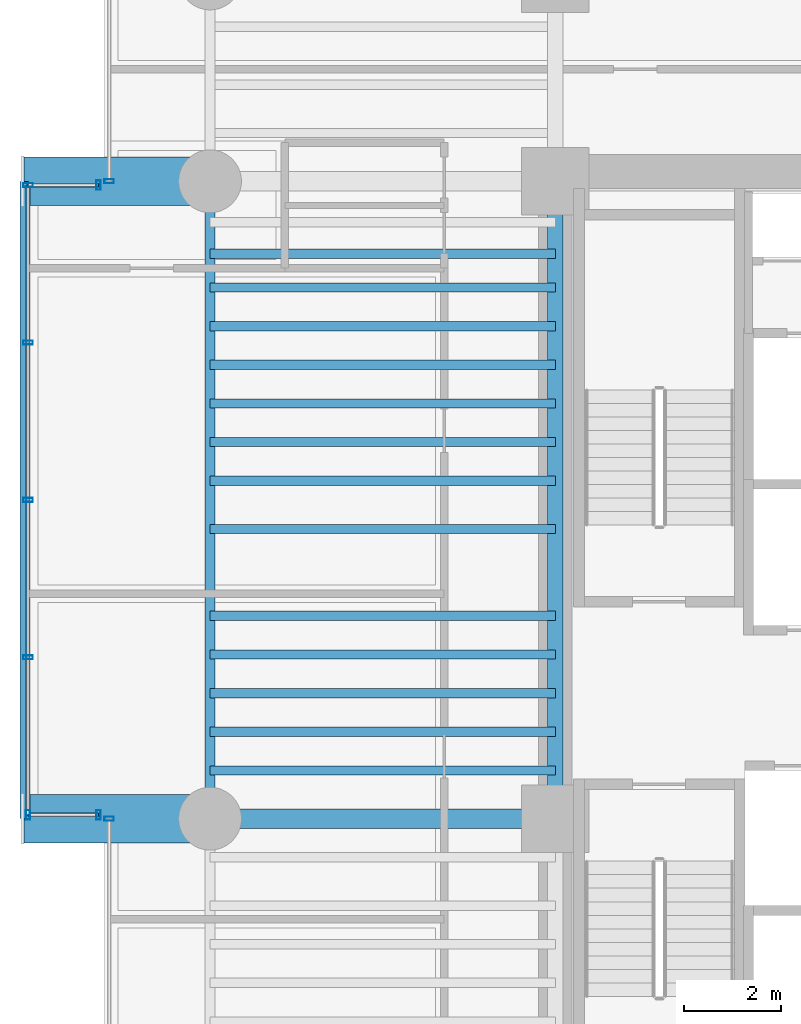
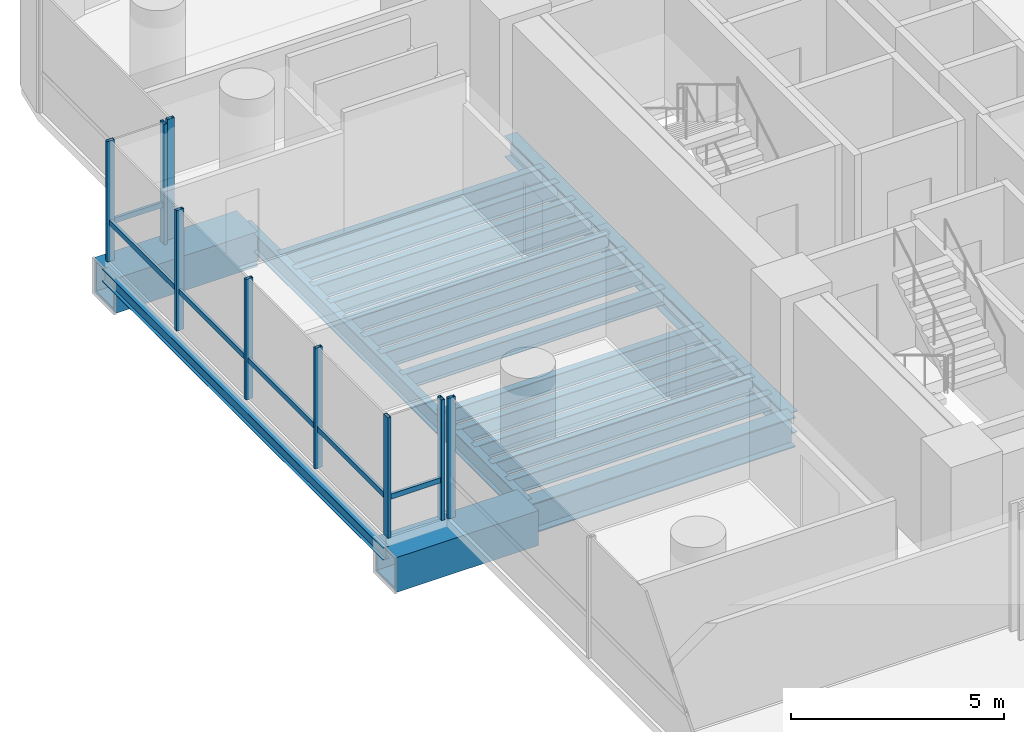
# One storey, part 8 of 39: 19 beams, 12 members, 5 elements without a shape of their own.
"""IFC4 building model written with IfcOpenShell, lengths in metres."""

from ifc_helpers import new_model, si_unit, direction, frame, origin, origin_2d, place, context, subcontext, project, spatial, hollow_rectangle, i_section, extrude, source, transform, mapped, material, material_profile, profile_set, type_object, element, aggregate, save


model = new_model("IFC4")

# Units and contexts
model_context = context("Model", 3, precision=1e-05, world=origin(), true_north=direction((0.0, 1.0)))
body_context = subcontext(model_context, "Body", "Model", "MODEL_VIEW")
ifc_project = project(units=[si_unit("LENGTHUNIT", "METRE"), si_unit("AREAUNIT", "SQUARE_METRE"), si_unit("VOLUMEUNIT", "CUBIC_METRE"), si_unit("PLANEANGLEUNIT", "RADIAN"), si_unit("MASSUNIT", "GRAM", prefix="KILO")], contexts=[model_context])

# Site, building, storey
site_placement = place(None, origin())
site = spatial("IfcSite", under=ifc_project, at=site_placement, CompositionType="ELEMENT")
building_placement = place(site_placement, origin())
building = spatial("IfcBuilding", under=site, at=building_placement, Name="Valdorenza Pilgrim Sanctuary Tower", CompositionType="ELEMENT")
storey_placement = place(building_placement, frame((0.0, 0.0, 74.10009765625)))
storey = spatial("IfcBuildingStorey", under=building, at=storey_placement, Name="L18", CompositionType="ELEMENT", Elevation=74.10009765625)

# Beams
ifc_material_1 = material(Name="Steel ASTM A992 Grade 50", Category="steel")
ifc_material_profile_1 = material_profile(ifc_material_1, i_section(OverallWidth=0.214111328125, OverallDepth=0.549072265625, WebThickness=0.0146484375, FlangeThickness=0.023681640625, at=origin_2d()), Name="W21X93")
ifc_profile_set_1 = profile_set([ifc_material_profile_1], Name="Steel ASTM A992 Grade 50")
beam_type_1 = type_object("IfcBeamType", Name="STR-BM-SPN-W21A", PredefinedType="SPANDREL", material=ifc_profile_set_1)
shared_shape_1 = source(origin(), body_context, "Body", "SweptSolid", [
    extrude(i_section(OverallWidth=0.214111328125, OverallDepth=0.549072265625, WebThickness=0.0146484375, FlangeThickness=0.023681640625, at=origin_2d()), origin(), (0.0, 0.0, 1.0), 13.2001953125),
])
beam_1_placement = place(storey_placement, frame((-29.800048828125, -2.60009765625, -0.5146484375), z_axis=(0.0, 1.0, 0.0), x_axis=(-1.0, 0.0, 0.0)))
element("IfcBeam", 1, at=beam_1_placement, inside=storey, type_object=beam_type_1, Name="L18 Spandrel Beam WA-W-M0N1", PredefinedType="SPANDREL", context=body_context, shape_type="MappedRepresentation", body=[
    mapped(shared_shape_1, transform((0.0, 0.0, 0.0), x_axis=(1.0, 0.0, 0.0), y_axis=(0.0, 1.0, 0.0), z_axis=(0.0, 0.0, 1.0), scale=1.0)),
])
ifc_material_profile_2 = material_profile(ifc_material_1, i_section(OverallWidth=0.323974609375, OverallDepth=0.611083984375, WebThickness=0.0126953125, FlangeThickness=0.01904296875, at=origin_2d()), Name="W24X104")
ifc_profile_set_2 = profile_set([ifc_material_profile_2], Name="Steel ASTM A992 Grade 50")
beam_type_2 = type_object("IfcBeamType", Name="STR-BM-GRD-W24B", PredefinedType="BEAM", material=ifc_profile_set_2)
shared_shape_2 = source(origin(), body_context, "Body", "SweptSolid", [
    extrude(i_section(OverallWidth=0.323974609375, OverallDepth=0.611083984375, WebThickness=0.0126953125, FlangeThickness=0.01904296875, at=origin_2d()), origin(), (0.0, 0.0, 1.0), 13.2001953125),
])
beam_2_placement = place(storey_placement, frame((-22.64990234375, -2.60009765625, -0.545654296875), z_axis=(0.0, 1.0, 0.0), x_axis=(-1.0, 0.0, 0.0)))
element("IfcBeam", 2, at=beam_2_placement, inside=storey, type_object=beam_type_2, Name="L18 Core Tie Girder CA-W-M0N1", PredefinedType="BEAM", context=body_context, shape_type="MappedRepresentation", body=[
    mapped(shared_shape_2, transform((0.0, 0.0, 0.0), x_axis=(1.0, 0.0, 0.0), y_axis=(0.0, 1.0, 0.0), z_axis=(0.0, 0.0, 1.0), scale=1.0)),
])
ifc_material_profile_3 = material_profile(ifc_material_1, i_section(OverallWidth=0.193115234375, OverallDepth=0.466064453125, WebThickness=0.011474609375, FlangeThickness=0.01904296875, at=origin_2d()), Name="W18X65")
ifc_profile_set_3 = profile_set([ifc_material_profile_3], Name="Steel ASTM A992 Grade 50")
beam_type_3 = type_object("IfcBeamType", Name="STR-BM-JST-W18A", PredefinedType="JOIST", material=ifc_profile_set_3)
shared_shape_3 = source(origin(), body_context, "Body", "SweptSolid", [
    extrude(i_section(OverallWidth=0.193115234375, OverallDepth=0.466064453125, WebThickness=0.011474609375, FlangeThickness=0.01904296875, at=origin_2d()), origin(), (0.0, 0.0, 1.0), 7.150146484375),
])
for number, where, z_axis, x_axis, name in (
    (3, (-29.800048828125, -1.60009765625, -0.47314453125), (1.0, 0.0, 0.0), (0.0, 1.0, 0.0), "L18 Composite Floor Joist JST-WA-10"),
    (4, (-29.800048828125, -0.800048828125, -0.47314453125), (1.0, 0.0, 0.0), (0.0, 1.0, 0.0), "L18 Composite Floor Joist JST-WA-11"),
    (5, (-29.800048828125, 0.0, -0.47314453125), (1.0, 0.0, 0.0), (0.0, 1.0, 0.0), "L18 Composite Floor Joist JST-WA-12"),
    (6, (-29.800048828125, 0.800048828125, -0.47314453125), (1.0, 0.0, 0.0), (0.0, 1.0, 0.0), "L18 Composite Floor Joist JST-WA-13"),
    (7, (-29.800048828125, 1.60009765625, -0.47314453125), (1.0, 0.0, 0.0), (0.0, 1.0, 0.0), "L18 Composite Floor Joist JST-WA-14"),
    (8, (-29.800048828125, 3.39990234375, -0.47314453125), (1.0, 0.0, 0.0), (0.0, 1.0, 0.0), "L18 Composite Floor Joist JST-WA-15"),
    (9, (-29.800048828125, 4.39990234375, -0.47314453125), (1.0, 0.0, 0.0), (0.0, 1.0, 0.0), "L18 Composite Floor Joist JST-WA-16"),
    (10, (-29.800048828125, 5.199951171875, -0.47314453125), (1.0, 0.0, 0.0), (0.0, 1.0, 0.0), "L18 Composite Floor Joist JST-WA-17"),
    (11, (-29.800048828125, 6.0, -0.47314453125), (1.0, 0.0, 0.0), (0.0, 1.0, 0.0), "L18 Composite Floor Joist JST-WA-18"),
    (12, (-29.800048828125, 6.800048828125, -0.47314453125), (1.0, 0.0, 0.0), (0.0, 1.0, 0.0), "L18 Composite Floor Joist JST-WA-19"),
    (13, (-29.800048828125, 7.60009765625, -0.47314453125), (1.0, 0.0, 0.0), (0.0, 1.0, 0.0), "L18 Composite Floor Joist JST-WA-20"),
    (14, (-29.800048828125, 8.39990234375, -0.47314453125), (1.0, 0.0, 0.0), (0.0, 1.0, 0.0), "L18 Composite Floor Joist JST-WA-21"),
    (15, (-29.800048828125, 9.10009765625, -0.47314453125), (1.0, 0.0, 0.0), (0.0, 1.0, 0.0), "L18 Composite Floor Joist JST-WA-22"),
):
    element("IfcBeam", number, at=place(storey_placement, frame(where, z_axis=z_axis, x_axis=x_axis)), inside=storey, type_object=beam_type_3, Name=name, PredefinedType="JOIST", context=body_context, shape_type="MappedRepresentation", body=[
        mapped(shared_shape_3, transform((0.0, 0.0, 0.0), x_axis=(1.0, 0.0, 0.0), y_axis=(0.0, 1.0, 0.0), z_axis=(0.0, 0.0, 1.0), scale=1.0)),
    ])
ifc_material_2 = material(Name="Steel ASTM A572 Grade 42", Category="steel")
ifc_material_profile_4 = material_profile(ifc_material_2, hollow_rectangle(XDim=1.0, YDim=1.0, WallThickness=0.080078125, at=origin_2d()), Name="BOX 1000x1000x80")
ifc_profile_set_4 = profile_set([ifc_material_profile_4], Name="Steel ASTM A572 Grade 42")
beam_type_4 = type_object("IfcBeamType", Name="STR-BM-PROW-CANT", PredefinedType="BEAM", material=ifc_profile_set_4)
shared_shape_4 = source(origin(), body_context, "Body", "SweptSolid", [
    extrude(hollow_rectangle(XDim=1.0, YDim=1.0, WallThickness=0.080078125, at=origin_2d()), origin(), (0.0, 0.0, 1.0), 3.849853515625),
])
for number, where, z_axis, x_axis, name in (
    (16, (-29.800048828125, 10.60009765625, -0.739990234375), (-1.0, 0.0, 0.0), (0.0, -1.0, 0.0), "L18 Glass Box Cantilever Beam BOX-WA-L18-CT-N"),
    (17, (-29.800048828125, -2.60009765625, -0.739990234375), (-1.0, 0.0, 0.0), (0.0, -1.0, 0.0), "L18 Glass Box Cantilever Beam BOX-WA-L18-CT-S"),
):
    element("IfcBeam", number, at=place(storey_placement, frame(where, z_axis=z_axis, x_axis=x_axis)), inside=storey, type_object=beam_type_4, Name=name, PredefinedType="BEAM", context=body_context, shape_type="MappedRepresentation", body=[
        mapped(shared_shape_4, transform((0.0, 0.0, 0.0), x_axis=(1.0, 0.0, 0.0), y_axis=(0.0, 1.0, 0.0), z_axis=(0.0, 0.0, 1.0), scale=1.0)),
    ])
ifc_material_profile_5 = material_profile(ifc_material_1, i_section(OverallWidth=0.39990234375, OverallDepth=0.862060546875, WebThickness=0.019775390625, FlangeThickness=0.032470703125, at=origin_2d()), Name="W33X221")
ifc_profile_set_5 = profile_set([ifc_material_profile_5], Name="Steel ASTM A992 Grade 50")
beam_type_5 = type_object("IfcBeamType", Name="STR-BM-GRD-W33", PredefinedType="BEAM", material=ifc_profile_set_5)
shared_shape_5 = source(origin(), body_context, "Body", "SweptSolid", [
    extrude(i_section(OverallWidth=0.39990234375, OverallDepth=0.862060546875, WebThickness=0.019775390625, FlangeThickness=0.032470703125, at=origin_2d()), origin(), (0.0, 0.0, 1.0), 7.150146484375),
])
beam_3_placement = place(storey_placement, frame((-29.800048828125, -2.60009765625, -0.671142578125), z_axis=(1.0, 0.0, 0.0), x_axis=(0.0, 1.0, 0.0)))
element("IfcBeam", 18, at=beam_3_placement, inside=storey, type_object=beam_type_5, Name="L18 Floor Girder WA-XW-M0", PredefinedType="BEAM", context=body_context, shape_type="MappedRepresentation", body=[
    mapped(shared_shape_5, transform((0.0, 0.0, 0.0), x_axis=(1.0, 0.0, 0.0), y_axis=(0.0, 1.0, 0.0), z_axis=(0.0, 0.0, 1.0), scale=1.0)),
])
ifc_material_profile_6 = material_profile(ifc_material_1, i_section(OverallWidth=0.1708984375, OverallDepth=0.35107421875, WebThickness=0.0068359375, FlangeThickness=0.009765625, at=origin_2d()), Name="W14X30")
ifc_profile_set_6 = profile_set([ifc_material_profile_6], Name="Steel ASTM A992 Grade 50")
beam_type_6 = type_object("IfcBeamType", Name="STR-BM-BOX-W14", PredefinedType="BEAM", material=ifc_profile_set_6)
shared_shape_6 = source(origin(), body_context, "Body", "SweptSolid", [
    extrude(i_section(OverallWidth=0.1708984375, OverallDepth=0.35107421875, WebThickness=0.0068359375, FlangeThickness=0.009765625, at=origin_2d()), origin(), (0.0, 0.0, 1.0), 13.2001953125),
])
beam_4_placement = place(storey_placement, frame((-33.64990234375, -2.60009765625, -0.41552734375), z_axis=(0.0, 1.0, 0.0), x_axis=(-1.0, 0.0, 0.0)))
element("IfcBeam", 19, at=beam_4_placement, inside=storey, type_object=beam_type_6, Name="L18 Glass Box Edge Beam BOX-WA-L18-F", PredefinedType="BEAM", context=body_context, shape_type="MappedRepresentation", body=[
    mapped(shared_shape_6, transform((0.0, 0.0, 0.0), x_axis=(1.0, 0.0, 0.0), y_axis=(0.0, 1.0, 0.0), z_axis=(0.0, 0.0, 1.0), scale=1.0)),
])

# Curtain wall, member
ifc_material_3 = material(Name="Curtain-wall IGU glazing", Category="glass")
curtain_wall_type = type_object("IfcCurtainWallType", Name="CW-SYS-02", PredefinedType="NOTDEFINED", material=ifc_material_3)
curtain_wall_1_placement = place(storey_placement, origin())
curtain_wall_1 = element("IfcCurtainWall", 20, at=curtain_wall_1_placement, inside=storey, type_object=curtain_wall_type, Name="L18 Curtain Wall CW-L18-1-1S1", PredefinedType="NOTDEFINED")
ifc_material_4 = material(Name="Anodised aluminium AW-6060", Category="aluminium")
ifc_material_profile_7 = material_profile(ifc_material_4, hollow_rectangle(XDim=0.0849609375, YDim=0.199951171875, WallThickness=0.0048828125, at=origin_2d()), Name="ALU-M 200x85x5")
ifc_profile_set_7 = profile_set([ifc_material_profile_7], Name="Anodised aluminium AW-6060")
member_type_1 = type_object("IfcMemberType", Name="CW-MUL-02", PredefinedType="MULLION", material=ifc_profile_set_7)
shared_shape_7 = source(origin(), body_context, "Body", "SweptSolid", [
    extrude(hollow_rectangle(XDim=0.0849609375, YDim=0.199951171875, WallThickness=0.0048828125, at=origin_2d()), origin(), (0.0, 0.0, 1.0), 3.4599609375),
])
member_1_placement = place(storey_placement, frame((-31.889892578125, -2.60009765625, 0.0), z_axis=(0.0, 0.0, 1.0), x_axis=(0.0, 1.0, 0.0)))
member_1 = element("IfcMember", 21, at=member_1_placement, type_object=member_type_1, Name="CW-L18-1-1S1 Mullion 3", PredefinedType="MULLION", context=body_context, shape_type="MappedRepresentation", body=[
    mapped(shared_shape_7, transform((0.0, 0.0, 0.0), x_axis=(1.0, 0.0, 0.0), y_axis=(0.0, 1.0, 0.0), z_axis=(0.0, 0.0, 1.0), scale=1.0)),
])
aggregate(curtain_wall_1, [member_1])

curtain_wall_2_placement = place(storey_placement, origin())
curtain_wall_2 = element("IfcCurtainWall", 22, at=curtain_wall_2_placement, inside=storey, type_object=curtain_wall_type, Name="L18 Curtain Wall CW-L18-1-1S2", PredefinedType="NOTDEFINED")
member_2_placement = place(storey_placement, frame((-31.889892578125, 10.60009765625, 0.0), z_axis=(0.0, 0.0, 1.0), x_axis=(0.0, 1.0, 0.0)))
member_2 = element("IfcMember", 23, at=member_2_placement, type_object=member_type_1, Name="CW-L18-1-1S2 Mullion 1", PredefinedType="MULLION", context=body_context, shape_type="MappedRepresentation", body=[
    mapped(shared_shape_7, transform((0.0, 0.0, 0.0), x_axis=(1.0, 0.0, 0.0), y_axis=(0.0, 1.0, 0.0), z_axis=(0.0, 0.0, 1.0), scale=1.0)),
])
aggregate(curtain_wall_2, [member_2])

# Curtain wall, members
curtain_wall_3_placement = place(storey_placement, origin())
curtain_wall_3 = element("IfcCurtainWall", 24, at=curtain_wall_3_placement, inside=storey, type_object=curtain_wall_type, Name="L18 Curtain Wall CW-L18-BOX-WA-L18-S", PredefinedType="NOTDEFINED")
member_3_placement = place(storey_placement, frame((-32.110107421875, -2.52001953125, 0.0), z_axis=(0.0, 0.0, 1.0), x_axis=(-1.0, 0.0, 0.0)))
member_3 = element("IfcMember", 25, at=member_3_placement, type_object=member_type_1, Name="CW-L18-BOX-WA-L18-S Mullion 1", PredefinedType="MULLION", context=body_context, shape_type="MappedRepresentation", body=[
    mapped(shared_shape_7, transform((0.0, 0.0, 0.0), x_axis=(1.0, 0.0, 0.0), y_axis=(0.0, 1.0, 0.0), z_axis=(0.0, 0.0, 1.0), scale=1.0)),
])
member_4_placement = place(storey_placement, frame((-33.570068359375, -2.52001953125, 0.0), z_axis=(0.0, 0.0, 1.0), x_axis=(-1.0, 0.0, 0.0)))
member_4 = element("IfcMember", 26, at=member_4_placement, type_object=member_type_1, Name="CW-L18-BOX-WA-L18-S Mullion 2", PredefinedType="MULLION", context=body_context, shape_type="MappedRepresentation", body=[
    mapped(shared_shape_7, transform((0.0, 0.0, 0.0), x_axis=(1.0, 0.0, 0.0), y_axis=(0.0, 1.0, 0.0), z_axis=(0.0, 0.0, 1.0), scale=1.0)),
])

curtain_wall_4_placement = place(storey_placement, origin())
curtain_wall_4 = element("IfcCurtainWall", 27, at=curtain_wall_4_placement, inside=storey, type_object=curtain_wall_type, Name="L18 Curtain Wall CW-L18-BOX-WA-L18-F", PredefinedType="NOTDEFINED")
member_5_placement = place(storey_placement, frame((-33.570068359375, 0.739990234375, 0.0), z_axis=(0.0, 0.0, 1.0), x_axis=(0.0, 1.0, 0.0)))
member_5 = element("IfcMember", 28, at=member_5_placement, type_object=member_type_1, Name="CW-L18-BOX-WA-L18-F Mullion 2", PredefinedType="MULLION", context=body_context, shape_type="MappedRepresentation", body=[
    mapped(shared_shape_7, transform((0.0, 0.0, 0.0), x_axis=(1.0, 0.0, 0.0), y_axis=(0.0, 1.0, 0.0), z_axis=(0.0, 0.0, 1.0), scale=1.0)),
])
member_6_placement = place(storey_placement, frame((-33.570068359375, 4.0, 0.0), z_axis=(0.0, 0.0, 1.0), x_axis=(0.0, 1.0, 0.0)))
member_6 = element("IfcMember", 29, at=member_6_placement, type_object=member_type_1, Name="CW-L18-BOX-WA-L18-F Mullion 3", PredefinedType="MULLION", context=body_context, shape_type="MappedRepresentation", body=[
    mapped(shared_shape_7, transform((0.0, 0.0, 0.0), x_axis=(1.0, 0.0, 0.0), y_axis=(0.0, 1.0, 0.0), z_axis=(0.0, 0.0, 1.0), scale=1.0)),
])
member_7_placement = place(storey_placement, frame((-33.570068359375, 7.260009765625, 0.0), z_axis=(0.0, 0.0, 1.0), x_axis=(0.0, 1.0, 0.0)))
member_7 = element("IfcMember", 30, at=member_7_placement, type_object=member_type_1, Name="CW-L18-BOX-WA-L18-F Mullion 4", PredefinedType="MULLION", context=body_context, shape_type="MappedRepresentation", body=[
    mapped(shared_shape_7, transform((0.0, 0.0, 0.0), x_axis=(1.0, 0.0, 0.0), y_axis=(0.0, 1.0, 0.0), z_axis=(0.0, 0.0, 1.0), scale=1.0)),
])
member_8_placement = place(storey_placement, frame((-33.570068359375, 10.52001953125, 0.0), z_axis=(0.0, 0.0, 1.0), x_axis=(0.0, 1.0, 0.0)))
member_8 = element("IfcMember", 31, at=member_8_placement, type_object=member_type_1, Name="CW-L18-BOX-WA-L18-F Mullion 5", PredefinedType="MULLION", context=body_context, shape_type="MappedRepresentation", body=[
    mapped(shared_shape_7, transform((0.0, 0.0, 0.0), x_axis=(1.0, 0.0, 0.0), y_axis=(0.0, 1.0, 0.0), z_axis=(0.0, 0.0, 1.0), scale=1.0)),
])

# Curtain wall, member
curtain_wall_5_placement = place(storey_placement, origin())
curtain_wall_5 = element("IfcCurtainWall", 32, at=curtain_wall_5_placement, inside=storey, type_object=curtain_wall_type, Name="L18 Curtain Wall CW-L18-BOX-WA-L18-N", PredefinedType="NOTDEFINED")
member_9_placement = place(storey_placement, frame((-32.110107421875, 10.52001953125, 0.0), z_axis=(0.0, 0.0, 1.0), x_axis=(1.0, 0.0, 0.0)))
member_9 = element("IfcMember", 33, at=member_9_placement, type_object=member_type_1, Name="CW-L18-BOX-WA-L18-N Mullion 2", PredefinedType="MULLION", context=body_context, shape_type="MappedRepresentation", body=[
    mapped(shared_shape_7, transform((0.0, 0.0, 0.0), x_axis=(1.0, 0.0, 0.0), y_axis=(0.0, 1.0, 0.0), z_axis=(0.0, 0.0, 1.0), scale=1.0)),
])

# Member
ifc_material_profile_8 = material_profile(ifc_material_4, hollow_rectangle(XDim=0.074951171875, YDim=0.14990234375, WallThickness=0.00390625, at=origin_2d()), Name="ALU-T 150x75x4")
ifc_profile_set_8 = profile_set([ifc_material_profile_8], Name="Anodised aluminium AW-6060")
member_type_2 = type_object("IfcMemberType", Name="CW-TRN-02", PredefinedType="USERDEFINED", material=ifc_profile_set_8)
shared_shape_8 = source(origin(), body_context, "Body", "SweptSolid", [
    extrude(hollow_rectangle(XDim=0.074951171875, YDim=0.14990234375, WallThickness=0.00390625, at=origin_2d()), origin(), (0.0, 0.0, 1.0), 1.4599609375),
])
member_10_placement = place(storey_placement, frame((-32.110107421875, -2.52001953125, 1.119873046875), z_axis=(-1.0, 0.0, 0.0), x_axis=(0.0, -1.0, 0.0)))
member_10 = element("IfcMember", 34, at=member_10_placement, type_object=member_type_2, Name="CW-L18-BOX-WA-L18-S Transom 1", ObjectType="TRANSOM", PredefinedType="USERDEFINED", context=body_context, shape_type="MappedRepresentation", body=[
    mapped(shared_shape_8, transform((0.0, 0.0, 0.0), x_axis=(1.0, 0.0, 0.0), y_axis=(0.0, 1.0, 0.0), z_axis=(0.0, 0.0, 1.0), scale=1.0)),
])

aggregate(curtain_wall_3, [member_3, member_4, member_10])

member_11_placement = place(storey_placement, frame((-33.570068359375, 10.52001953125, 1.119873046875), z_axis=(1.0, 0.0, 0.0), x_axis=(0.0, 1.0, 0.0)))
member_11 = element("IfcMember", 35, at=member_11_placement, type_object=member_type_2, Name="CW-L18-BOX-WA-L18-N Transom 1", ObjectType="TRANSOM", PredefinedType="USERDEFINED", context=body_context, shape_type="MappedRepresentation", body=[
    mapped(shared_shape_8, transform((0.0, 0.0, 0.0), x_axis=(1.0, 0.0, 0.0), y_axis=(0.0, 1.0, 0.0), z_axis=(0.0, 0.0, 1.0), scale=1.0)),
])

aggregate(curtain_wall_5, [member_9, member_11])

shared_shape_9 = source(origin(), body_context, "Body", "SweptSolid", [
    extrude(hollow_rectangle(XDim=0.074951171875, YDim=0.14990234375, WallThickness=0.00390625, at=origin_2d()), origin(), (0.0, 0.0, 1.0), 13.0400390625),
])
member_12_placement = place(storey_placement, frame((-33.570068359375, -2.52001953125, 1.119873046875), z_axis=(0.0, 1.0, 0.0), x_axis=(-1.0, 0.0, 0.0)))
member_12 = element("IfcMember", 36, at=member_12_placement, type_object=member_type_2, Name="CW-L18-BOX-WA-L18-F Transom 1", ObjectType="TRANSOM", PredefinedType="USERDEFINED", context=body_context, shape_type="MappedRepresentation", body=[
    mapped(shared_shape_9, transform((0.0, 0.0, 0.0), x_axis=(1.0, 0.0, 0.0), y_axis=(0.0, 1.0, 0.0), z_axis=(0.0, 0.0, 1.0), scale=1.0)),
])

aggregate(curtain_wall_4, [member_5, member_6, member_7, member_8, member_12])

save(model, "model.ifc")
